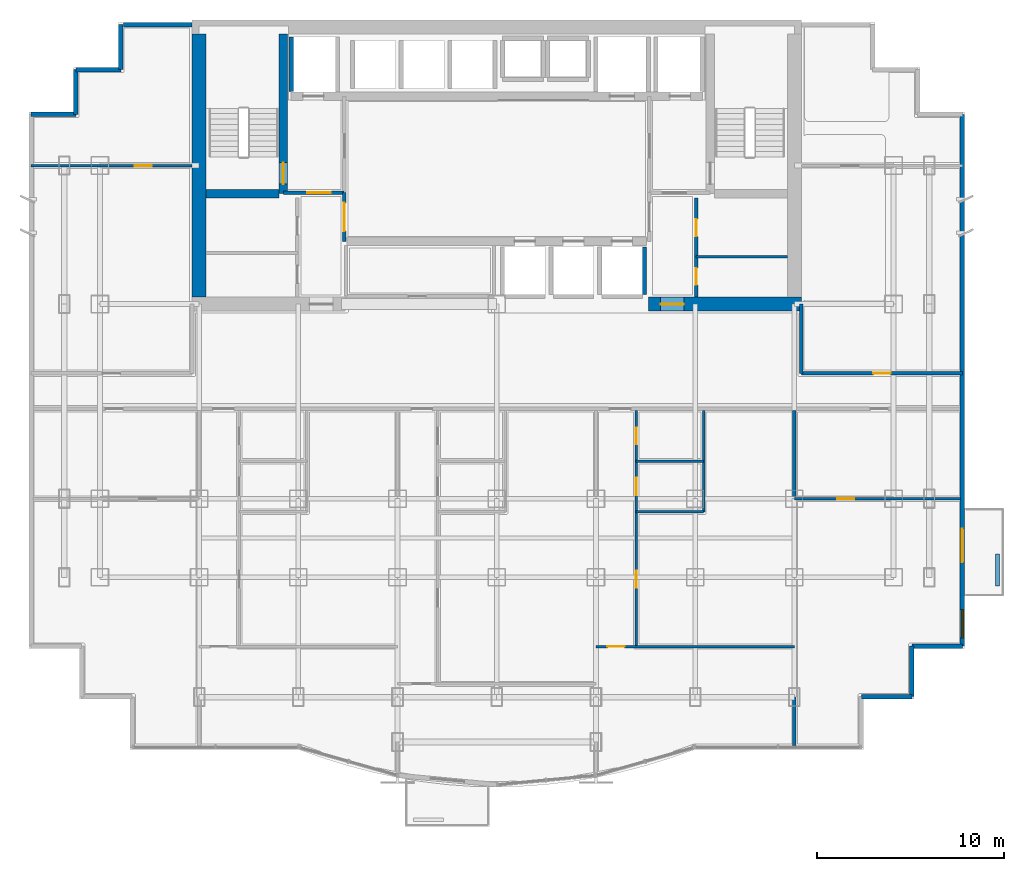
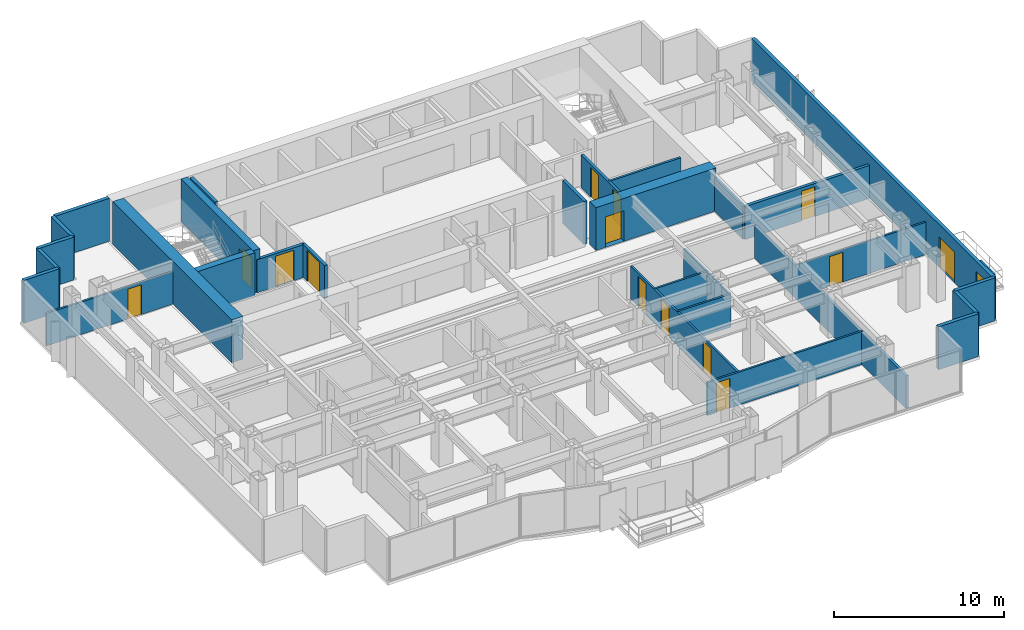
# One storey, part 6 of 9: 30 walls, 14 doors, 1 window, 15 openings.
"""IFC4 building model written with IfcOpenShell, lengths in metres."""

from ifc_helpers import new_model, si_unit, direction, frame, frame_2d, origin, place, context, subcontext, project, spatial, rectangle, extrude, material, layer, layer_set, type_object, element, fill, save


model = new_model("IFC4")

# Units and contexts
model_context = context("Model", 3, precision=1e-05, world=origin(), true_north=direction((0.0, 1.0)))
body_context = subcontext(model_context, "Body", "Model", "MODEL_VIEW")
ifc_project = project(units=[si_unit("LENGTHUNIT", "METRE"), si_unit("AREAUNIT", "SQUARE_METRE"), si_unit("VOLUMEUNIT", "CUBIC_METRE"), si_unit("PLANEANGLEUNIT", "RADIAN"), si_unit("MASSUNIT", "GRAM", prefix="KILO")], contexts=[model_context])

# Site, building, storey
site_placement = place(None, origin())
site = spatial("IfcSite", under=ifc_project, at=site_placement, CompositionType="ELEMENT")
building_placement = place(site_placement, origin())
building = spatial("IfcBuilding", under=site, at=building_placement, Name="Qianlan Lanfeng Residences", CompositionType="ELEMENT")
storey_placement = place(building_placement, frame((0.0, 0.0, 108.10009765625)))
storey = spatial("IfcBuildingStorey", under=building, at=storey_placement, Name="L29", CompositionType="ELEMENT", Elevation=108.10009765625)

# Wall, opening, door
ifc_material_1 = material(Name="Concrete C60", Category="concrete")
ifc_layer_1 = layer(ifc_material_1, 0.449951171875)
ifc_layer_set_1 = layer_set([ifc_layer_1], Name="Concrete C60")
wall_type_1 = type_object("IfcWallType", Name="CW-RC-450", PredefinedType="SHEAR", material=ifc_layer_set_1)
wall_1_placement = place(storey_placement, frame((15.10009765625, 31.10009765625, 0.0), z_axis=(0.0, 0.0, 1.0), x_axis=(0.0, 1.0, 0.0)))
wall_1 = element("IfcWall", 1, at=wall_1_placement, inside=storey, type_object=wall_type_1, Name="L29 Core Shear Wall ST1E", PredefinedType="SHEAR", context=body_context, shape_type="SweptSolid", body=[
    extrude(rectangle(XDim=8.52490234375, YDim=0.449951171875, at=frame_2d((4.262451171875, 0.0))), origin(), (0.0, 0.0, 1.0), 3.08984375),
])
opening_1_placement = place(wall_1_placement, frame((0.510009765625, 0.0, 0.0)))
opening_1 = element("IfcOpeningElement", 2, at=opening_1_placement, cuts=wall_1, Name="Opening L29-D07", PredefinedType="OPENING", context=body_context, shape_type="SweptSolid", body=[
    extrude(rectangle(XDim=1.14990234375, YDim=2.199951171875, at=frame_2d((0.574951171875, 1.10009765625))), frame((0.0, 0.23486328125, 0.0), z_axis=(0.0, -1.0, 0.0), x_axis=(1.0, 0.0, 0.0)), (0.0, 0.0, 1.0), 0.469970703125),
])
ifc_material_2 = material(Name="Painted Galvanised Steel Fire Door", Category="steel")
door_type_1 = type_object("IfcDoorType", Name="DT-ST1", OperationType="NOTDEFINED", PredefinedType="DOOR", material=ifc_material_2)
door_1_placement = place(opening_1_placement, frame((1.14990234375, 0.0, 0.0), z_axis=(0.0, 0.0, 1.0), x_axis=(-1.0, 0.0, 0.0)))
door_1 = element("IfcDoor", 3, at=door_1_placement, inside=storey, type_object=door_type_1, Name="L29 Exit Stair ST-1 Door L29-D07 (DT-ST1)", OperationType="SINGLE_SWING_RIGHT", OverallHeight=2.199951171875, OverallWidth=1.14990234375, PredefinedType="DOOR", context=body_context, shape_type="SweptSolid", body=[
    extrude(rectangle(XDim=1.14990234375, YDim=2.199951171875, at=frame_2d((0.574951171875, 1.10009765625))), frame((0.0, 0.02490234375, 0.0), z_axis=(0.0, -1.0, 0.0), x_axis=(1.0, 0.0, 0.0)), (0.0, 0.0, 1.0), 0.050048828125),
])
fill(opening_1, door_1)

# Walls
wall_2_placement = place(storey_placement, frame((10.97509765625, 31.10009765625, 0.0), z_axis=(0.0, 0.0, 1.0), x_axis=(1.0, 0.0, 0.0)))
element("IfcWall", 4, at=wall_2_placement, inside=storey, type_object=wall_type_1, Name="L29 Core Shear Wall ST1S", PredefinedType="SHEAR", context=body_context, shape_type="SweptSolid", body=[
    extrude(rectangle(XDim=3.89990234375, YDim=0.449951171875, at=frame_2d((1.949951171875, 0.0))), origin(), (0.0, 0.0, 1.0), 3.08984375),
])
ifc_layer_2 = layer(ifc_material_1, 0.75)
ifc_layer_set_2 = layer_set([ifc_layer_2], Name="Concrete C60")
wall_type_2 = type_object("IfcWallType", Name="CW-RC-750", PredefinedType="SHEAR", material=ifc_layer_set_2)
wall_3_placement = place(storey_placement, frame((10.60009765625, 25.574951171875, 0.0), z_axis=(0.0, 0.0, 1.0), x_axis=(0.0, 1.0, 0.0)))
element("IfcWall", 5, at=wall_3_placement, inside=storey, type_object=wall_type_2, Name="L29 Core Shear Wall W", PredefinedType="SHEAR", context=body_context, shape_type="SweptSolid", body=[
    extrude(rectangle(XDim=14.050048828125, YDim=0.75, at=frame_2d((7.02490234375, 0.0))), origin(), (0.0, 0.0, 1.0), 3.08984375),
])

# Wall, opening, door
wall_4_placement = place(storey_placement, frame((34.60009765625, 25.199951171875, 0.0), z_axis=(0.0, 0.0, 1.0), x_axis=(1.0, 0.0, 0.0)))
wall_4 = element("IfcWall", 6, at=wall_4_placement, inside=storey, type_object=wall_type_2, Name="L29 Core Shear Wall SE", PredefinedType="SHEAR", context=body_context, shape_type="SweptSolid", body=[
    extrude(rectangle(XDim=8.1748046875, YDim=0.75, at=frame_2d((4.08740234375, 0.0))), origin(), (0.0, 0.0, 1.0), 3.08984375),
])
opening_2_placement = place(wall_4_placement, frame((0.64990234375, 0.0, 0.0)))
opening_2 = element("IfcOpeningElement", 7, at=opening_2_placement, cuts=wall_4, Name="Opening L29-D02", PredefinedType="OPENING", context=body_context, shape_type="SweptSolid", body=[
    extrude(rectangle(XDim=1.25, YDim=2.199951171875, at=frame_2d((0.625, 1.10009765625))), frame((0.0, 0.385009765625, 0.0), z_axis=(0.0, -1.0, 0.0), x_axis=(1.0, 0.0, 0.0)), (0.0, 0.0, 1.0), 0.77001953125),
])
door_type_2 = type_object("IfcDoorType", Name="DT-FFL", OperationType="NOTDEFINED", PredefinedType="DOOR", material=ifc_material_2)
door_2_placement = place(opening_2_placement, frame((1.25, 0.0, 0.0), z_axis=(0.0, 0.0, 1.0), x_axis=(-1.0, 0.0, 0.0)))
door_2 = element("IfcDoor", 8, at=door_2_placement, inside=storey, type_object=door_type_2, Name="L29 East Core Lobby Smoke Door L29-D02 (DT-FFL)", OperationType="SINGLE_SWING_LEFT", OverallHeight=2.199951171875, OverallWidth=1.25, PredefinedType="DOOR", context=body_context, shape_type="SweptSolid", body=[
    extrude(rectangle(XDim=1.25, YDim=2.199951171875, at=frame_2d((0.625, 1.10009765625))), frame((0.0, 0.02490234375, 0.0), z_axis=(0.0, -1.0, 0.0), x_axis=(1.0, 0.0, 0.0)), (0.0, 0.0, 1.0), 0.050048828125),
])
fill(opening_2, door_2)

# Walls
ifc_material_3 = material(Name="Concrete C42", Category="concrete")
ifc_layer_3 = layer(ifc_material_3, 0.239990234375)
ifc_layer_set_3 = layer_set([ifc_layer_3], Name="Concrete C42")
wall_type_3 = type_object("IfcWallType", Name="EW-240", PredefinedType="SOLIDWALL", material=ifc_layer_set_3)
for number, where, z_axis, x_axis, name in (
    (9, (45.97998046875, 4.219970703125, 0.0), (0.0, 0.0, 1.0), (1.0, 0.0, 0.0), "L29 Exterior Facade Spandrel Wall 7"),
    (10, (48.679931640625, 4.219970703125, 0.0), (0.0, 0.0, 1.0), (0.0, 1.0, 0.0), "L29 Exterior Facade Spandrel Wall 8"),
    (11, (48.679931640625, 6.919921875, 0.0), (0.0, 0.0, 1.0), (1.0, 0.0, 0.0), "L29 Exterior Facade Spandrel Wall 9"),
):
    element("IfcWall", number, at=place(storey_placement, frame(where, z_axis=z_axis, x_axis=x_axis)), inside=storey, type_object=wall_type_3, Name=name, PredefinedType="SOLIDWALL", context=body_context, shape_type="SweptSolid", body=[
        extrude(rectangle(XDim=2.699951171875, YDim=0.239990234375, at=frame_2d((1.35009765625, 0.0))), origin(), (0.0, 0.0, 1.0), 3.08984375),
    ])

# Wall, openings, door, window
wall_5_placement = place(storey_placement, frame((51.3798828125, 6.919921875, 0.0), z_axis=(0.0, 0.0, 1.0), x_axis=(0.0, 1.0, 0.0)))
wall_5 = element("IfcWall", 12, at=wall_5_placement, inside=storey, type_object=wall_type_3, Name="L29 Terrace/Balcony Access Exterior Wall 10", PredefinedType="SOLIDWALL", context=body_context, shape_type="SweptSolid", body=[
    extrude(rectangle(XDim=28.41015625, YDim=0.239990234375, at=frame_2d((14.205078125, 0.0))), origin(), (0.0, 0.0, 1.0), 3.08984375),
])
opening_3_placement = place(wall_5_placement, frame((4.47998046875, 0.0, 0.0)))
opening_3 = element("IfcOpeningElement", 13, at=opening_3_placement, cuts=wall_5, Name="Opening L29-D-EB-S", PredefinedType="OPENING", context=body_context, shape_type="SweptSolid", body=[
    extrude(rectangle(XDim=1.800048828125, YDim=2.199951171875, at=frame_2d((0.89990234375, 1.10009765625))), frame((0.0, 0.1298828125, 0.0), z_axis=(0.0, -1.0, 0.0), x_axis=(1.0, 0.0, 0.0)), (0.0, 0.0, 1.0), 0.260009765625),
])
opening_4_placement = place(wall_5_placement, frame((0.449951171875, 0.0, 0.75)))
opening_4 = element("IfcOpeningElement", 14, at=opening_4_placement, cuts=wall_5, Name="Opening W-02", PredefinedType="OPENING", context=body_context, shape_type="SweptSolid", body=[
    extrude(rectangle(XDim=1.5, YDim=1.60009765625, at=frame_2d((0.75, 0.800048828125))), frame((0.0, 0.1298828125, 0.0), z_axis=(0.0, -1.0, 0.0), x_axis=(1.0, 0.0, 0.0)), (0.0, 0.0, 1.0), 0.260009765625),
])
ifc_material_4 = material(Name="Anodised Bronze Aluminium Framed Glass", Category="aluminium")
door_type_3 = type_object("IfcDoorType", Name="DT-BAL1", OperationType="NOTDEFINED", PredefinedType="DOOR", material=ifc_material_4)
door_3_placement = place(opening_3_placement, frame((1.800048828125, 0.0, 0.0), z_axis=(0.0, 0.0, 1.0), x_axis=(-1.0, 0.0, 0.0)))
door_3 = element("IfcDoor", 15, at=door_3_placement, inside=storey, type_object=door_type_3, Name="L29 Exterior Access Door EB-S", OperationType="DOUBLE_DOOR_SLIDING", OverallHeight=2.199951171875, OverallWidth=1.800048828125, PredefinedType="DOOR", context=body_context, shape_type="SweptSolid", body=[
    extrude(rectangle(XDim=1.800048828125, YDim=2.199951171875, at=frame_2d((0.89990234375, 1.10009765625))), frame((0.0, 0.02490234375, 0.0), z_axis=(0.0, -1.0, 0.0), x_axis=(1.0, 0.0, 0.0)), (0.0, 0.0, 1.0), 0.050048828125),
])
fill(opening_3, door_3)
ifc_material_5 = material(Name="Anodised Bronze Aluminium Framed Double Glazing", Category="aluminium")
window_type = type_object("IfcWindowType", Name="W-02", PartitioningType="SINGLE_PANEL", PredefinedType="WINDOW", material=ifc_material_5)
window_placement = place(opening_4_placement, origin())
window = element("IfcWindow", 16, at=window_placement, inside=storey, type_object=window_type, Name="L29 Exterior Window W-02", OverallHeight=1.60009765625, OverallWidth=1.5, PartitioningType="SINGLE_PANEL", PredefinedType="WINDOW", context=body_context, shape_type="SweptSolid", body=[
    extrude(rectangle(XDim=1.5, YDim=1.60009765625, at=frame_2d((0.75, 0.800048828125))), frame((0.0, 0.030029296875, 0.0), z_axis=(0.0, -1.0, 0.0), x_axis=(1.0, 0.0, 0.0)), (0.0, 0.0, 1.0), 0.06005859375),
])
fill(opening_4, window)

# Walls
wall_6_placement = place(storey_placement, frame((10.22509765625, 40.1298828125, 0.0), z_axis=(0.0, 0.0, 1.0), x_axis=(-1.0, 0.0, 0.0)))
element("IfcWall", 17, at=wall_6_placement, inside=storey, type_object=wall_type_3, Name="L29 North Wing Exterior Wall W", PredefinedType="SOLIDWALL", context=body_context, shape_type="SweptSolid", body=[
    extrude(rectangle(XDim=3.675048828125, YDim=0.239990234375, at=frame_2d((1.83740234375, 0.0))), origin(), (0.0, 0.0, 1.0), 3.08984375),
])
for number, where, z_axis, x_axis, name in (
    (18, (6.419921875, 40.1298828125, 0.0), (0.0, 0.0, 1.0), (0.0, -1.0, 0.0), "L29 Exterior Facade Spandrel Wall 17"),
    (19, (6.419921875, 37.72998046875, 0.0), (0.0, 0.0, 1.0), (-1.0, 0.0, 0.0), "L29 Exterior Facade Spandrel Wall 18"),
    (20, (4.02001953125, 37.72998046875, 0.0), (0.0, 0.0, 1.0), (0.0, -1.0, 0.0), "L29 Exterior Facade Spandrel Wall 19"),
    (21, (4.02001953125, 35.330078125, 0.0), (0.0, 0.0, 1.0), (-1.0, 0.0, 0.0), "L29 Exterior Facade Spandrel Wall 20"),
):
    element("IfcWall", number, at=place(storey_placement, frame(where, z_axis=z_axis, x_axis=x_axis)), inside=storey, type_object=wall_type_3, Name=name, PredefinedType="SOLIDWALL", context=body_context, shape_type="SweptSolid", body=[
        extrude(rectangle(XDim=2.39990234375, YDim=0.239990234375, at=frame_2d((1.199951171875, 0.0))), origin(), (0.0, 0.0, 1.0), 3.08984375),
    ])
ifc_layer_4 = layer(ifc_material_3, 0.199951171875)
ifc_layer_set_4 = layer_set([ifc_layer_4], Name="Concrete C42")
wall_type_4 = type_object("IfcWallType", Name="PL-TREE-200", PredefinedType="PARAPET", material=ifc_layer_set_4)
wall_7_placement = place(storey_placement, frame((53.25, 10.14990234375, 0.0), z_axis=(0.0, 0.0, 1.0), x_axis=(0.0, 1.0, 0.0)))
element("IfcWall", 22, at=wall_7_placement, inside=storey, type_object=wall_type_4, Name="L29 East Tree Planter Curb EB-S", PredefinedType="PARAPET", context=body_context, shape_type="SweptSolid", body=[
    extrude(rectangle(XDim=1.7001953125, YDim=0.199951171875, at=frame_2d((0.85009765625, 0.0))), origin(), (0.0, 0.0, 1.0), 0.64990234375),
])

# Wall, opening, door
ifc_material_6 = material(Name="Moisture-Resistant Gypsum Partition 135 mm")
ifc_layer_5 = layer(ifc_material_6, 0.135009765625)
ifc_layer_set_5 = layer_set([ifc_layer_5], Name="Moisture-Resistant Gypsum Partition 135 mm")
wall_type_5 = type_object("IfcWallType", Name="PW-135", PredefinedType="PARTITIONING", material=ifc_layer_set_5)
wall_8_placement = place(storey_placement, frame((31.800048828125, 6.903076171875, 0.0), z_axis=(0.0, 0.0, 1.0), x_axis=(1.0, 0.0, 0.0)))
wall_8 = element("IfcWall", 23, at=wall_8_placement, inside=storey, type_object=wall_type_5, Name="L29 U03 Living Divider", PredefinedType="PARTITIONING", context=body_context, shape_type="SweptSolid", body=[
    extrude(rectangle(XDim=10.599853515625, YDim=0.135009765625, at=frame_2d((5.2998046875, 0.0))), origin(), (0.0, 0.0, 1.0), 2.3798828125),
])
opening_5_placement = place(wall_8_placement, frame((0.614990234375, 0.0, 0.0)))
opening_5 = element("IfcOpeningElement", 24, at=opening_5_placement, cuts=wall_8, Name="Opening L29-D27", PredefinedType="OPENING", context=body_context, shape_type="SweptSolid", body=[
    extrude(rectangle(XDim=0.919921875, YDim=2.14990234375, at=frame_2d((0.4599609375, 1.074951171875))), frame((0.0, 0.07763671875, 0.0), z_axis=(0.0, -1.0, 0.0), x_axis=(1.0, 0.0, 0.0)), (0.0, 0.0, 1.0), 0.155029296875),
])
ifc_material_7 = material(Name="Glazed Timber Kitchen/Study Door", Category="wood")
door_type_4 = type_object("IfcDoorType", Name="DT-INT", OperationType="NOTDEFINED", PredefinedType="DOOR", material=ifc_material_7)
door_4_placement = place(opening_5_placement, frame((0.919921875, 0.0, 0.0), z_axis=(0.0, 0.0, 1.0), x_axis=(-1.0, 0.0, 0.0)))
door_4 = element("IfcDoor", 25, at=door_4_placement, inside=storey, type_object=door_type_4, Name="L29 U03 Living Passage Door L29-D27 (DT-INT)", OperationType="SINGLE_SWING_RIGHT", OverallHeight=2.14990234375, OverallWidth=0.919921875, PredefinedType="DOOR", context=body_context, shape_type="SweptSolid", body=[
    extrude(rectangle(XDim=0.919921875, YDim=2.14990234375, at=frame_2d((0.4599609375, 1.074951171875))), frame((0.0, 0.02490234375, 0.0), z_axis=(0.0, -1.0, 0.0), x_axis=(1.0, 0.0, 0.0)), (0.0, 0.0, 1.0), 0.050048828125),
])
fill(opening_5, door_4)

# Wall, openings, doors
wall_9_placement = place(storey_placement, frame((33.949951171875, 6.903076171875, 0.0), z_axis=(0.0, 0.0, 1.0), x_axis=(0.0, 1.0, 0.0)))
wall_9 = element("IfcWall", 26, at=wall_9_placement, inside=storey, type_object=wall_type_5, Name="L29 U03 Entry Hall Spine", PredefinedType="PARTITIONING", context=body_context, shape_type="SweptSolid", body=[
    extrude(rectangle(XDim=12.596923828125, YDim=0.135009765625, at=frame_2d((6.29833984375, 0.0))), origin(), (0.0, 0.0, 1.0), 2.3798828125),
])
opening_6_placement = place(wall_9_placement, frame((3.138916015625, 0.0, 0.0)))
opening_6 = element("IfcOpeningElement", 27, at=opening_6_placement, cuts=wall_9, Name="Opening L29-D28", PredefinedType="OPENING", context=body_context, shape_type="SweptSolid", body=[
    extrude(rectangle(XDim=0.919921875, YDim=2.14990234375, at=frame_2d((0.4599609375, 1.074951171875))), frame((0.0, 0.07763671875, 0.0), z_axis=(0.0, -1.0, 0.0), x_axis=(1.0, 0.0, 0.0)), (0.0, 0.0, 1.0), 0.155029296875),
])
opening_7_placement = place(wall_9_placement, frame((8.0869140625, 0.0, 0.0)))
opening_7 = element("IfcOpeningElement", 28, at=opening_7_placement, cuts=wall_9, Name="Opening L29-D29", PredefinedType="OPENING", context=body_context, shape_type="SweptSolid", body=[
    extrude(rectangle(XDim=0.919921875, YDim=2.14990234375, at=frame_2d((0.4599609375, 1.074951171875))), frame((0.0, 0.07763671875, 0.0), z_axis=(0.0, -1.0, 0.0), x_axis=(1.0, 0.0, 0.0)), (0.0, 0.0, 1.0), 0.155029296875),
])
opening_8_placement = place(wall_9_placement, frame((10.797119140625, 0.0, 0.0)))
opening_8 = element("IfcOpeningElement", 29, at=opening_8_placement, cuts=wall_9, Name="Opening L29-D30", PredefinedType="OPENING", context=body_context, shape_type="SweptSolid", body=[
    extrude(rectangle(XDim=0.89990234375, YDim=2.14990234375, at=frame_2d((0.449951171875, 1.074951171875))), frame((0.0, 0.07763671875, 0.0), z_axis=(0.0, -1.0, 0.0), x_axis=(1.0, 0.0, 0.0)), (0.0, 0.0, 1.0), 0.155029296875),
])
door_5_placement = place(opening_6_placement, origin())
door_5 = element("IfcDoor", 30, at=door_5_placement, inside=storey, type_object=door_type_4, Name="L29 U03 Study Door L29-D28 (DT-INT)", OperationType="SINGLE_SWING_LEFT", OverallHeight=2.14990234375, OverallWidth=0.919921875, PredefinedType="DOOR", context=body_context, shape_type="SweptSolid", body=[
    extrude(rectangle(XDim=0.919921875, YDim=2.14990234375, at=frame_2d((0.4599609375, 1.074951171875))), frame((0.0, 0.02490234375, 0.0), z_axis=(0.0, -1.0, 0.0), x_axis=(1.0, 0.0, 0.0)), (0.0, 0.0, 1.0), 0.050048828125),
])
fill(opening_6, door_5)
door_6_placement = place(opening_7_placement, origin())
door_6 = element("IfcDoor", 31, at=door_6_placement, inside=storey, type_object=door_type_4, Name="L29 U03 Kitchen Door L29-D29 (DT-INT)", OperationType="SINGLE_SWING_RIGHT", OverallHeight=2.14990234375, OverallWidth=0.919921875, PredefinedType="DOOR", context=body_context, shape_type="SweptSolid", body=[
    extrude(rectangle(XDim=0.919921875, YDim=2.14990234375, at=frame_2d((0.4599609375, 1.074951171875))), frame((0.0, 0.02490234375, 0.0), z_axis=(0.0, -1.0, 0.0), x_axis=(1.0, 0.0, 0.0)), (0.0, 0.0, 1.0), 0.050048828125),
])
fill(opening_7, door_6)
ifc_material_8 = material(Name="Moisture-Resistant Timber Leaf", Category="wood")
door_type_5 = type_object("IfcDoorType", Name="DT-WC", OperationType="NOTDEFINED", PredefinedType="DOOR", material=ifc_material_8)
door_7_placement = place(opening_8_placement, origin())
door_7 = element("IfcDoor", 32, at=door_7_placement, inside=storey, type_object=door_type_5, Name="L29 U03 Bathroom Door L29-D30 (DT-WC)", OperationType="SINGLE_SWING_LEFT", OverallHeight=2.14990234375, OverallWidth=0.89990234375, PredefinedType="DOOR", context=body_context, shape_type="SweptSolid", body=[
    extrude(rectangle(XDim=0.89990234375, YDim=2.14990234375, at=frame_2d((0.449951171875, 1.074951171875))), frame((0.0, 0.02490234375, 0.0), z_axis=(0.0, -1.0, 0.0), x_axis=(1.0, 0.0, 0.0)), (0.0, 0.0, 1.0), 0.050048828125),
])
fill(opening_8, door_7)

# Walls
wall_10_placement = place(storey_placement, frame((33.949951171875, 14.10009765625, 0.0), z_axis=(0.0, 0.0, 1.0), x_axis=(1.0, 0.0, 0.0)))
element("IfcWall", 33, at=wall_10_placement, inside=storey, type_object=wall_type_5, Name="L29 U03 Kitchen South Wall", PredefinedType="PARTITIONING", context=body_context, shape_type="SweptSolid", body=[
    extrude(rectangle(XDim=3.60009765625, YDim=0.135009765625, at=frame_2d((1.800048828125, 0.0))), origin(), (0.0, 0.0, 1.0), 2.3798828125),
])
wall_11_placement = place(storey_placement, frame((37.550048828125, 14.10009765625, 0.0), z_axis=(0.0, 0.0, 1.0), x_axis=(0.0, 1.0, 0.0)))
element("IfcWall", 34, at=wall_11_placement, inside=storey, type_object=wall_type_5, Name="L29 U03 Dining East Wall", PredefinedType="PARTITIONING", context=body_context, shape_type="SweptSolid", body=[
    extrude(rectangle(XDim=5.39990234375, YDim=0.135009765625, at=frame_2d((2.699951171875, 0.0))), origin(), (0.0, 0.0, 1.0), 2.3798828125),
])
wall_12_placement = place(storey_placement, frame((33.949951171875, 16.800048828125, 0.0), z_axis=(0.0, 0.0, 1.0), x_axis=(1.0, 0.0, 0.0)))
element("IfcWall", 35, at=wall_12_placement, inside=storey, type_object=wall_type_5, Name="L29 U03 Bathroom South Wall", PredefinedType="PARTITIONING", context=body_context, shape_type="SweptSolid", body=[
    extrude(rectangle(XDim=3.60009765625, YDim=0.135009765625, at=frame_2d((1.800048828125, 0.0))), origin(), (0.0, 0.0, 1.0), 2.3798828125),
])

# Wall, opening, door
wall_13_placement = place(storey_placement, frame((42.39990234375, 14.800048828125, 0.0), z_axis=(0.0, 0.0, 1.0), x_axis=(1.0, 0.0, 0.0)))
wall_13 = element("IfcWall", 36, at=wall_13_placement, inside=storey, type_object=wall_type_5, Name="L29 SEP Mid Partition", PredefinedType="PARTITIONING", context=body_context, shape_type="SweptSolid", body=[
    extrude(rectangle(XDim=8.880126953125, YDim=0.135009765625, at=frame_2d((4.43994140625, 0.0))), origin(), (0.0, 0.0, 1.0), 2.3349609375),
])
opening_9_placement = place(wall_13_placement, frame((2.280029296875, 0.0, 0.0)))
opening_9 = element("IfcOpeningElement", 37, at=opening_9_placement, cuts=wall_13, Name="Opening L29-D33", PredefinedType="OPENING", context=body_context, shape_type="SweptSolid", body=[
    extrude(rectangle(XDim=0.919921875, YDim=2.14990234375, at=frame_2d((0.4599609375, 1.074951171875))), frame((0.0, 0.07763671875, 0.0), z_axis=(0.0, -1.0, 0.0), x_axis=(1.0, 0.0, 0.0)), (0.0, 0.0, 1.0), 0.155029296875),
])
door_8_placement = place(opening_9_placement, origin())
door_8 = element("IfcDoor", 38, at=door_8_placement, inside=storey, type_object=door_type_4, Name="L29 SEP Inner Door L29-D33 (DT-INT)", OperationType="SINGLE_SWING_RIGHT", OverallHeight=2.14990234375, OverallWidth=0.919921875, PredefinedType="DOOR", context=body_context, shape_type="SweptSolid", body=[
    extrude(rectangle(XDim=0.919921875, YDim=2.14990234375, at=frame_2d((0.4599609375, 1.074951171875))), frame((0.0, 0.02490234375, 0.0), z_axis=(0.0, -1.0, 0.0), x_axis=(1.0, 0.0, 0.0)), (0.0, 0.0, 1.0), 0.050048828125),
])
fill(opening_9, door_8)

wall_14_placement = place(storey_placement, frame((1.6201171875, 32.60009765625, 0.0), z_axis=(0.0, 0.0, 1.0), x_axis=(1.0, 0.0, 0.0)))
wall_14 = element("IfcWall", 39, at=wall_14_placement, inside=storey, type_object=wall_type_5, Name="L29 WW North Wing Wall", PredefinedType="PARTITIONING", context=body_context, shape_type="SweptSolid", body=[
    extrude(rectangle(XDim=8.60498046875, YDim=0.135009765625, at=frame_2d((4.302490234375, 0.0))), origin(), (0.0, 0.0, 1.0), 2.3349609375),
])
opening_10_placement = place(wall_14_placement, frame((5.5419921875, 0.0, 0.0)))
opening_10 = element("IfcOpeningElement", 40, at=opening_10_placement, cuts=wall_14, Name="Opening L29-D35", PredefinedType="OPENING", context=body_context, shape_type="SweptSolid", body=[
    extrude(rectangle(XDim=0.919921875, YDim=2.14990234375, at=frame_2d((0.4599609375, 1.074951171875))), frame((0.0, 0.07763671875, 0.0), z_axis=(0.0, -1.0, 0.0), x_axis=(1.0, 0.0, 0.0)), (0.0, 0.0, 1.0), 0.155029296875),
])
door_9_placement = place(opening_10_placement, origin())
door_9 = element("IfcDoor", 41, at=door_9_placement, inside=storey, type_object=door_type_4, Name="L29 WW Inner Salon Door L29-D35 (DT-INT)", OperationType="SINGLE_SWING_RIGHT", OverallHeight=2.14990234375, OverallWidth=0.919921875, PredefinedType="DOOR", context=body_context, shape_type="SweptSolid", body=[
    extrude(rectangle(XDim=0.919921875, YDim=2.14990234375, at=frame_2d((0.4599609375, 1.074951171875))), frame((0.0, 0.02490234375, 0.0), z_axis=(0.0, -1.0, 0.0), x_axis=(1.0, 0.0, 0.0)), (0.0, 0.0, 1.0), 0.050048828125),
])
fill(opening_10, door_9)

# Wall
ifc_material_9 = material(Name="Acoustic Drywall Partition 150 mm")
ifc_layer_6 = layer(ifc_material_9, 0.14990234375)
ifc_layer_set_6 = layer_set([ifc_layer_6], Name="Acoustic Drywall Partition 150 mm")
wall_type_6 = type_object("IfcWallType", Name="PW-150", PredefinedType="PARTITIONING", material=ifc_layer_set_6)
wall_15_placement = place(storey_placement, frame((37.14990234375, 27.72509765625, 0.0), z_axis=(0.0, 0.0, 1.0), x_axis=(1.0, 0.0, 0.0)))
element("IfcWall", 42, at=wall_15_placement, inside=storey, type_object=wall_type_6, Name="L29 Core East Split", PredefinedType="PARTITIONING", context=body_context, shape_type="SweptSolid", body=[
    extrude(rectangle(XDim=4.875, YDim=0.14990234375, at=frame_2d((2.4375, 0.0))), origin(), (0.0, 0.0, 1.0), 2.3798828125),
])

# Wall, openings, doors
ifc_material_10 = material(Name="Double-Layer Acoustic Gypsum Stud Wall 180 mm")
ifc_layer_7 = layer(ifc_material_10, 0.179931640625)
ifc_layer_set_7 = layer_set([ifc_layer_7], Name="Double-Layer Acoustic Gypsum Stud Wall 180 mm")
wall_type_7 = type_object("IfcWallType", Name="PW-180", PredefinedType="PARTITIONING", material=ifc_layer_set_7)
wall_16_placement = place(storey_placement, frame((37.14990234375, 25.574951171875, 0.0), z_axis=(0.0, 0.0, 1.0), x_axis=(0.0, 1.0, 0.0)))
wall_16 = element("IfcWall", 43, at=wall_16_placement, inside=storey, type_object=wall_type_7, Name="L29 Core East Service Room Wall", PredefinedType="PARTITIONING", context=body_context, shape_type="SweptSolid", body=[
    extrude(rectangle(XDim=5.300048828125, YDim=0.179931640625, at=frame_2d((2.64990234375, 0.0))), origin(), (0.0, 0.0, 1.0), 2.3798828125),
])
opening_11_placement = place(wall_16_placement, frame((0.64990234375, 0.0, 0.0)))
opening_11 = element("IfcOpeningElement", 44, at=opening_11_placement, cuts=wall_16, Name="Opening L29-D11", PredefinedType="OPENING", context=body_context, shape_type="SweptSolid", body=[
    extrude(rectangle(XDim=0.89990234375, YDim=2.14990234375, at=frame_2d((0.449951171875, 1.074951171875))), frame((0.0, 0.10009765625, 0.0), z_axis=(0.0, -1.0, 0.0), x_axis=(1.0, 0.0, 0.0)), (0.0, 0.0, 1.0), 0.199951171875),
])
opening_12_placement = place(wall_16_placement, frame((3.239990234375, 0.0, 0.0)))
opening_12 = element("IfcOpeningElement", 45, at=opening_12_placement, cuts=wall_16, Name="Opening L29-D12", PredefinedType="OPENING", context=body_context, shape_type="SweptSolid", body=[
    extrude(rectangle(XDim=0.919921875, YDim=2.14990234375, at=frame_2d((0.4599609375, 1.074951171875))), frame((0.0, 0.10009765625, 0.0), z_axis=(0.0, -1.0, 0.0), x_axis=(1.0, 0.0, 0.0)), (0.0, 0.0, 1.0), 0.199951171875),
])
door_10_placement = place(opening_12_placement, origin())
door_10 = element("IfcDoor", 46, at=door_10_placement, inside=storey, type_object=door_type_4, Name="L29 Refuse Room Door L29-D12 (DT-INT)", OperationType="SINGLE_SWING_LEFT", OverallHeight=2.14990234375, OverallWidth=0.919921875, PredefinedType="DOOR", context=body_context, shape_type="SweptSolid", body=[
    extrude(rectangle(XDim=0.919921875, YDim=2.14990234375, at=frame_2d((0.4599609375, 1.074951171875))), frame((0.0, 0.02490234375, 0.0), z_axis=(0.0, -1.0, 0.0), x_axis=(1.0, 0.0, 0.0)), (0.0, 0.0, 1.0), 0.050048828125),
])
fill(opening_12, door_10)
door_11_placement = place(opening_11_placement, origin())
door_11 = element("IfcDoor", 47, at=door_11_placement, inside=storey, type_object=door_type_5, Name="L29 Core WC Door L29-D11 (DT-WC)", OperationType="SINGLE_SWING_LEFT", OverallHeight=2.14990234375, OverallWidth=0.89990234375, PredefinedType="DOOR", context=body_context, shape_type="SweptSolid", body=[
    extrude(rectangle(XDim=0.89990234375, YDim=2.14990234375, at=frame_2d((0.449951171875, 1.074951171875))), frame((0.0, 0.02490234375, 0.0), z_axis=(0.0, -1.0, 0.0), x_axis=(1.0, 0.0, 0.0)), (0.0, 0.0, 1.0), 0.050048828125),
])
fill(opening_11, door_11)

# Wall
wall_17_placement = place(storey_placement, frame((42.39990234375, 1.6201171875, 0.0), z_axis=(0.0, 0.0, 1.0), x_axis=(0.0, 1.0, 0.0)))
element("IfcWall", 48, at=wall_17_placement, inside=storey, type_object=wall_type_7, Name="L29 Wing Boundary Party Wall E0", PredefinedType="PARTITIONING", context=body_context, shape_type="SweptSolid", body=[
    extrude(rectangle(XDim=17.8798828125, YDim=0.179931640625, at=frame_2d((8.93994140625, 0.0))), origin(), (0.0, 0.0, 1.0), 2.3349609375),
])

# Wall, opening, door
ifc_material_11 = material(Name="Autoclaved Aerated Concrete Blockwork 200 mm", Category="masonry")
ifc_layer_8 = layer(ifc_material_11, 0.199951171875)
ifc_layer_set_8 = layer_set([ifc_layer_8], Name="Autoclaved Aerated Concrete Blockwork 200 mm")
wall_type_8 = type_object("IfcWallType", Name="PW-200", PredefinedType="PARTITIONING", material=ifc_layer_set_8)
wall_18_placement = place(storey_placement, frame((15.10009765625, 31.14990234375, 0.0), z_axis=(0.0, 0.0, 1.0), x_axis=(1.0, 0.0, 0.0)))
wall_18 = element("IfcWall", 49, at=wall_18_placement, inside=storey, type_object=wall_type_8, Name="L29 Firefighting Lobby 1 South Wall", PredefinedType="PARTITIONING", context=body_context, shape_type="SweptSolid", body=[
    extrude(rectangle(XDim=3.25, YDim=0.199951171875, at=frame_2d((1.625, 0.0))), origin(), (0.0, 0.0, 1.0), 2.3798828125),
])
opening_13_placement = place(wall_18_placement, frame((1.27490234375, 0.0, 0.0)))
opening_13 = element("IfcOpeningElement", 50, at=opening_13_placement, cuts=wall_18, Name="Opening L29-D03", PredefinedType="OPENING", context=body_context, shape_type="SweptSolid", body=[
    extrude(rectangle(XDim=1.25, YDim=2.199951171875, at=frame_2d((0.625, 1.10009765625))), frame((0.0, 0.10986328125, 0.0), z_axis=(0.0, -1.0, 0.0), x_axis=(1.0, 0.0, 0.0)), (0.0, 0.0, 1.0), 0.219970703125),
])
door_12_placement = place(opening_13_placement, origin())
door_12 = element("IfcDoor", 51, at=door_12_placement, inside=storey, type_object=door_type_2, Name="L29 Firefighting Lobby 1 Entry Door L29-D03 (DT-FFL)", OperationType="SINGLE_SWING_LEFT", OverallHeight=2.199951171875, OverallWidth=1.25, PredefinedType="DOOR", context=body_context, shape_type="SweptSolid", body=[
    extrude(rectangle(XDim=1.25, YDim=2.199951171875, at=frame_2d((0.625, 1.10009765625))), frame((0.0, 0.02490234375, 0.0), z_axis=(0.0, -1.0, 0.0), x_axis=(1.0, 0.0, 0.0)), (0.0, 0.0, 1.0), 0.050048828125),
])
fill(opening_13, door_12)

wall_19_placement = place(storey_placement, frame((18.35009765625, 28.550048828125, 0.0), z_axis=(0.0, 0.0, 1.0), x_axis=(0.0, 1.0, 0.0)))
wall_19 = element("IfcWall", 52, at=wall_19_placement, inside=storey, type_object=wall_type_8, Name="L29 Lift Lobby West Connector Wall", PredefinedType="PARTITIONING", context=body_context, shape_type="SweptSolid", body=[
    extrude(rectangle(XDim=2.599853515625, YDim=0.199951171875, at=frame_2d((1.2998046875, 0.0))), origin(), (0.0, 0.0, 1.0), 2.3798828125),
])
opening_14_placement = place(wall_19_placement, frame((0.550048828125, 0.0, 0.0)))
opening_14 = element("IfcOpeningElement", 53, at=opening_14_placement, cuts=wall_19, Name="Opening L29-D13", PredefinedType="OPENING", context=body_context, shape_type="SweptSolid", body=[
    extrude(rectangle(XDim=1.5, YDim=2.25, at=frame_2d((0.75, 1.125))), frame((0.0, 0.10986328125, 0.0), z_axis=(0.0, -1.0, 0.0), x_axis=(1.0, 0.0, 0.0)), (0.0, 0.0, 1.0), 0.219970703125),
])
ifc_material_12 = material(Name="Timber Veneer Acoustic Fire Door", Category="wood")
door_type_6 = type_object("IfcDoorType", Name="DT-COR1", OperationType="NOTDEFINED", PredefinedType="DOOR", material=ifc_material_12)
door_13_placement = place(opening_14_placement, origin())
door_13 = element("IfcDoor", 54, at=door_13_placement, inside=storey, type_object=door_type_6, Name="L29 Lift Lobby West Portal Door L29-D13 (DT-COR1)", OperationType="DOUBLE_DOOR_SINGLE_SWING", OverallHeight=2.25, OverallWidth=1.5, PredefinedType="DOOR", context=body_context, shape_type="SweptSolid", body=[
    extrude(rectangle(XDim=1.5, YDim=2.25, at=frame_2d((0.75, 1.125))), frame((0.0, 0.02490234375, 0.0), z_axis=(0.0, -1.0, 0.0), x_axis=(1.0, 0.0, 0.0)), (0.0, 0.0, 1.0), 0.050048828125),
])
fill(opening_14, door_13)

wall_20_placement = place(storey_placement, frame((42.77490234375, 21.5, 0.0), z_axis=(0.0, 0.0, 1.0), x_axis=(1.0, 0.0, 0.0)))
wall_20 = element("IfcWall", 55, at=wall_20_placement, inside=storey, type_object=wall_type_8, Name="L29 Corridor NE Wall", PredefinedType="PARTITIONING", context=body_context, shape_type="SweptSolid", body=[
    extrude(rectangle(XDim=8.60498046875, YDim=0.199951171875, at=frame_2d((4.302490234375, 0.0))), origin(), (0.0, 0.0, 1.0), 2.3798828125),
])
opening_15_placement = place(wall_20_placement, frame((3.842041015625, 0.0, 0.0)))
opening_15 = element("IfcOpeningElement", 56, at=opening_15_placement, cuts=wall_20, Name="Opening L29-D38", PredefinedType="OPENING", context=body_context, shape_type="SweptSolid", body=[
    extrude(rectangle(XDim=0.919921875, YDim=2.14990234375, at=frame_2d((0.4599609375, 1.074951171875))), frame((0.0, 0.10986328125, 0.0), z_axis=(0.0, -1.0, 0.0), x_axis=(1.0, 0.0, 0.0)), (0.0, 0.0, 1.0), 0.219970703125),
])
door_14_placement = place(opening_15_placement, origin())
door_14 = element("IfcDoor", 57, at=door_14_placement, inside=storey, type_object=door_type_4, Name="L29 EW Amenity Salon Door L29-D38 (DT-INT)", OperationType="SINGLE_SWING_LEFT", OverallHeight=2.14990234375, OverallWidth=0.919921875, PredefinedType="DOOR", context=body_context, shape_type="SweptSolid", body=[
    extrude(rectangle(XDim=0.919921875, YDim=2.14990234375, at=frame_2d((0.4599609375, 1.074951171875))), frame((0.0, 0.02490234375, 0.0), z_axis=(0.0, -1.0, 0.0), x_axis=(1.0, 0.0, 0.0)), (0.0, 0.0, 1.0), 0.050048828125),
])
fill(opening_15, door_14)

# Walls
wall_21_placement = place(storey_placement, frame((42.77490234375, 21.5, 0.0), z_axis=(0.0, 0.0, 1.0), x_axis=(0.0, 1.0, 0.0)))
element("IfcWall", 58, at=wall_21_placement, inside=storey, type_object=wall_type_8, Name="L29 NE Wing Core Return Wall", PredefinedType="PARTITIONING", context=body_context, shape_type="SweptSolid", body=[
    extrude(rectangle(XDim=3.699951171875, YDim=0.199951171875, at=frame_2d((1.85009765625, 0.0))), origin(), (0.0, 0.0, 1.0), 2.3798828125),
])
ifc_material_13 = material(Name="Concrete C49", Category="concrete")
ifc_layer_9 = layer(ifc_material_13, 0.219970703125)
ifc_layer_set_9 = layer_set([ifc_layer_9], Name="Concrete C49")
wall_type_9 = type_object("IfcWallType", Name="SHW-220", PredefinedType="SOLIDWALL", material=ifc_layer_set_9)
wall_22_placement = place(storey_placement, frame((15.52001953125, 36.550048828125, 0.0), z_axis=(0.0, 0.0, 1.0), x_axis=(0.0, 1.0, 0.0)))
element("IfcWall", 59, at=wall_22_placement, inside=storey, type_object=wall_type_9, Name="L29 Lift FFL-1 Shaft Wall W", PredefinedType="SOLIDWALL", context=body_context, shape_type="SweptSolid", body=[
    extrude(rectangle(XDim=2.929931640625, YDim=0.219970703125, at=frame_2d((1.46484375, 0.0))), origin(), (0.0, 0.0, 1.0), 3.08984375),
])
wall_23_placement = place(storey_placement, frame((34.39990234375, 25.719970703125, 0.0), z_axis=(0.0, 0.0, 1.0), x_axis=(0.0, 1.0, 0.0)))
element("IfcWall", 60, at=wall_23_placement, inside=storey, type_object=wall_type_9, Name="L29 Lift PL-M3 Shaft Wall E", PredefinedType="SOLIDWALL", context=body_context, shape_type="SweptSolid", body=[
    extrude(rectangle(XDim=2.530029296875, YDim=0.219970703125, at=frame_2d((1.26513671875, 0.0))), origin(), (0.0, 0.0, 1.0), 3.08984375),
])

save(model, "model.ifc")
